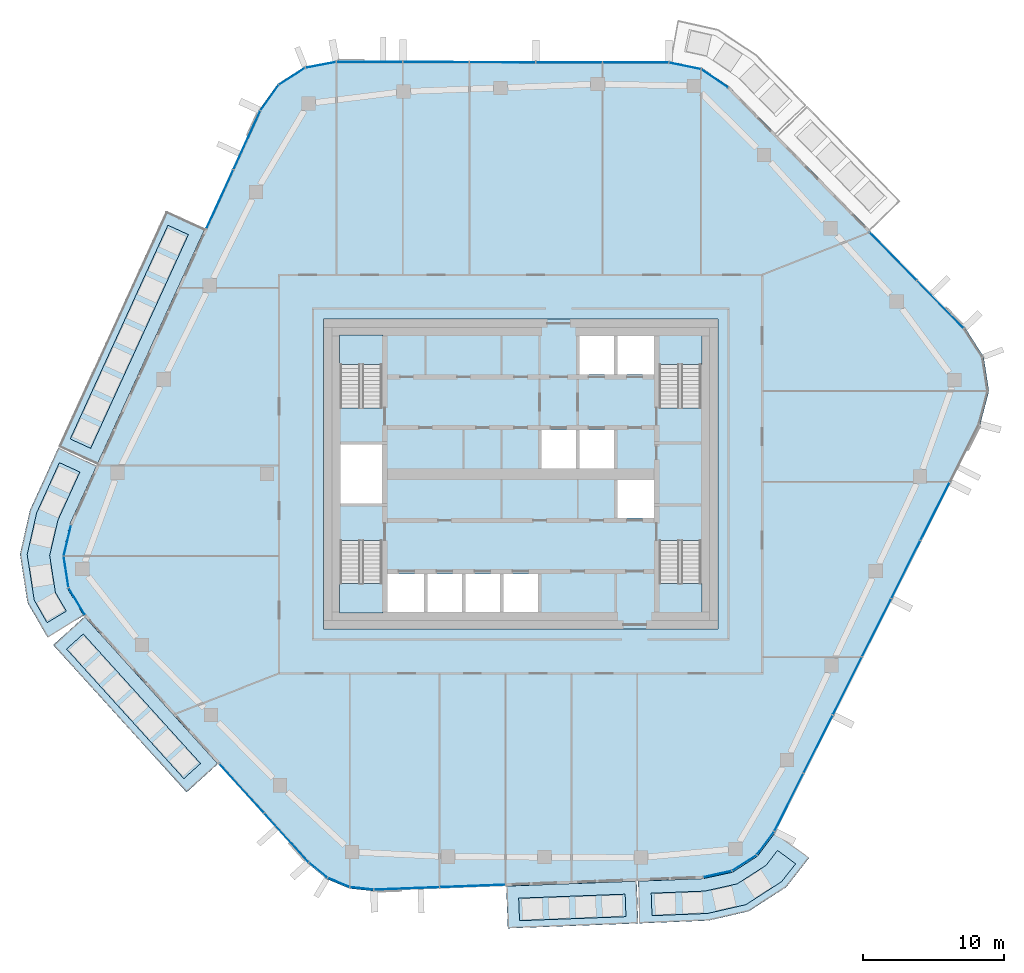
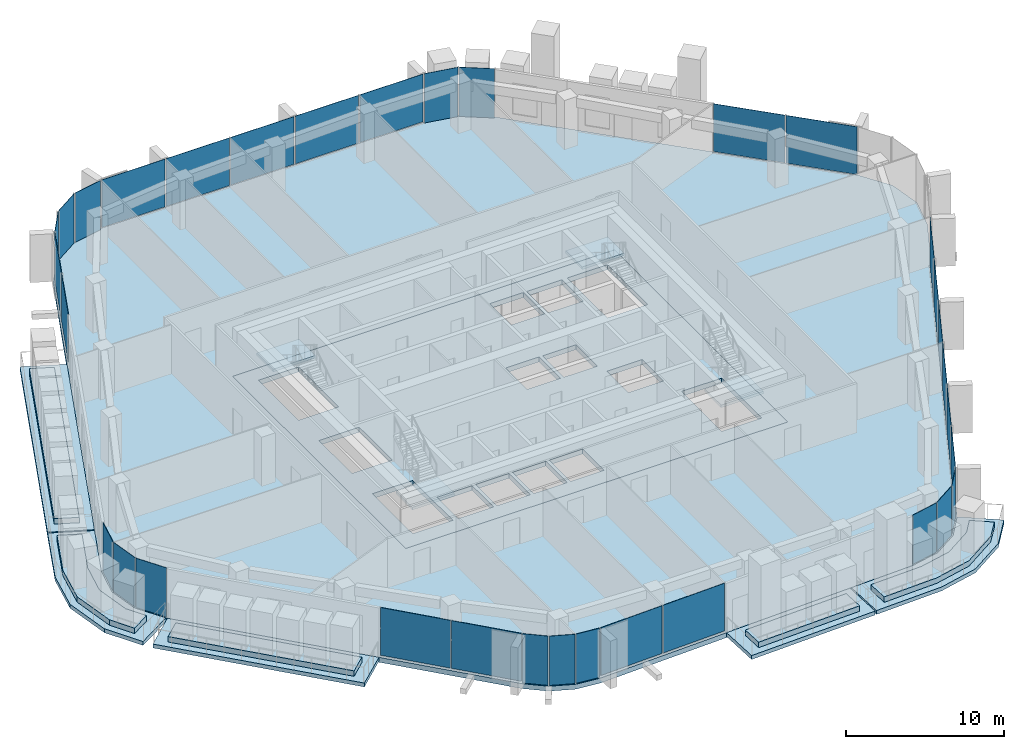
# One storey, part 11 of 23: 33 plates, 16 slabs, 15 elements without a shape of their own.
"""IFC4 building model written with IfcOpenShell, lengths in metres."""

from ifc_helpers import new_model, si_unit, direction, frame, origin, origin_2d, place, context, subcontext, project, spatial, polyline, rectangle, outline, extrude, material, layer, layer_set, type_object, element, aggregate, save


model = new_model("IFC4")

# Units and contexts
model_context = context("Model", 3, precision=1e-05, world=origin(), true_north=direction((0.0, 1.0)))
body_context = subcontext(model_context, "Body", "Model", "MODEL_VIEW")
ifc_project = project(units=[si_unit("LENGTHUNIT", "METRE"), si_unit("AREAUNIT", "SQUARE_METRE"), si_unit("VOLUMEUNIT", "CUBIC_METRE"), si_unit("PLANEANGLEUNIT", "RADIAN"), si_unit("MASSUNIT", "GRAM", prefix="KILO")], contexts=[model_context])

# Site, building, storey
site_placement = place(None, origin())
site = spatial("IfcSite", under=ifc_project, at=site_placement, CompositionType="ELEMENT")
building_placement = place(site_placement, origin())
building = spatial("IfcBuilding", under=site, at=building_placement, Name="Dongbaek Canopy Tower", CompositionType="ELEMENT")
storey_placement = place(building_placement, frame((0.0, 0.0, 315.199951171875)))
storey = spatial("IfcBuildingStorey", under=building, at=storey_placement, Name="L67", CompositionType="ELEMENT", Elevation=315.199951171875)

# Slabs
ifc_material_1 = material(Name="Concrete C40/50", Category="concrete")
ifc_layer_1 = layer(ifc_material_1, 0.300048828125)
ifc_layer_set_1 = layer_set([ifc_layer_1], Name="Balcony slab 300")
slab_type_1 = type_object("IfcSlabType", Name="Balcony slab 300", PredefinedType="FLOOR", material=ifc_layer_set_1)
slab_1_placement = place(storey_placement, frame((0.0, 0.0, -0.300048828125)))
element("IfcSlab", 1, at=slab_1_placement, inside=storey, type_object=slab_type_1, Name="Balcony L67 2", PredefinedType="FLOOR", context=body_context, shape_type="SweptSolid", body=[
    extrude(outline(polyline([(-22.43017578125, 17.41015625), (-30.07373046875, 0.687744140625), (-32.80224609375, 1.934814453125), (-25.15869140625, 18.657470703125), (-22.43017578125, 17.41015625)])), origin(), (0.0, 0.0, 1.0), 0.300048828125),
])
slab_2_placement = place(storey_placement, frame((0.0, 0.0, -0.300048828125)))
element("IfcSlab", 2, at=slab_2_placement, inside=storey, type_object=slab_type_1, Name="Balcony L67 6", PredefinedType="FLOOR", context=body_context, shape_type="SweptSolid", body=[
    extrude(outline(polyline([(-30.115234375, 0.5966796875), (-32.015625, -3.56103515625), (-32.5537109375, -5.812255859375), (-32.19970703125, -8.099609375), (-31.031982421875, -10.039794921875), (-33.6025390625, -11.5869140625), (-35.020263671875, -9.12158203125), (-35.55126953125, -5.690673828125), (-34.852294921875, -2.584228515625), (-32.84375, 1.843994140625), (-30.115234375, 0.5966796875)])), origin(), (0.0, 0.0, 1.0), 0.300048828125),
])
slab_3_placement = place(storey_placement, frame((0.0, 0.0, -0.300048828125)))
element("IfcSlab", 3, at=slab_3_placement, inside=storey, type_object=slab_type_1, Name="Balcony L67 3", PredefinedType="FLOOR", context=body_context, shape_type="SweptSolid", body=[
    extrude(outline(polyline([(-30.97265625, -10.119873046875), (-21.50048828125, -20.580078125), (-23.724365234375, -22.59375), (-33.196533203125, -12.133544921875), (-30.97265625, -10.119873046875)])), origin(), (0.0, 0.0, 1.0), 0.300048828125),
])
slab_4_placement = place(storey_placement, frame((0.0, 0.0, -0.300048828125)))
element("IfcSlab", 4, at=slab_4_placement, inside=storey, type_object=slab_type_1, Name="Balcony L67 4", PredefinedType="FLOOR", context=body_context, shape_type="SweptSolid", body=[
    extrude(outline(polyline([(-1.025146484375, -29.25341796875), (8.2333984375, -28.904052734375), (8.3466796875, -31.90185546875), (-0.912109375, -32.25146484375), (-1.025146484375, -29.25341796875)])), origin(), (0.0, 0.0, 1.0), 0.300048828125),
])
slab_5_placement = place(storey_placement, frame((0.0, 0.0, -0.300048828125)))
element("IfcSlab", 5, at=slab_5_placement, inside=storey, type_object=slab_type_1, Name="Balcony L67 7", PredefinedType="FLOOR", context=body_context, shape_type="SweptSolid", body=[
    extrude(outline(polyline([(8.33349609375, -28.900390625), (12.962646484375, -28.7255859375), (15.0380859375, -28.27099609375), (16.82470703125, -27.12158203125), (18.06884765625, -25.46142578125), (20.469482421875, -27.2607421875), (18.868896484375, -29.3173828125), (16.188720703125, -31.04150390625), (13.341796875, -31.70166015625), (8.446533203125, -31.898193359375), (8.33349609375, -28.900390625)])), origin(), (0.0, 0.0, 1.0), 0.300048828125),
])

# Curtain wall, plates
ifc_material_2 = material(Name="Aluminium 6063-T6 pale anodised", Category="aluminium")
ifc_layer_2 = layer(ifc_material_2, 0.199951171875)
ifc_layer_set_2 = layer_set([ifc_layer_2], Name="CW-1 unitised tower curtain wall")
curtain_wall_type = type_object("IfcCurtainWallType", Name="CW-1 unitised tower curtain wall", PredefinedType="NOTDEFINED", material=ifc_layer_set_2)
curtain_wall_1_placement = place(storey_placement, origin())
curtain_wall_1 = element("IfcCurtainWall", 6, at=curtain_wall_1_placement, inside=storey, type_object=curtain_wall_type, Name="CW-1 curtain wall F0.1", PredefinedType="NOTDEFINED")
ifc_material_3 = material(Name="Clear laminated glass", Category="glass")
ifc_layer_3 = layer(ifc_material_3, 0.028076171875)
ifc_layer_set_3 = layer_set([ifc_layer_3], Name="CW-1 glazed panel 28")
plate_type = type_object("IfcPlateType", Name="CW-1 glazed panel 28", PredefinedType="CURTAIN_PANEL", material=ifc_layer_set_3)
plate_1_placement = place(storey_placement, frame((29.800537109375, 12.048095703125, 0.1201171875), z_axis=(0.0, 0.0, 1.0), x_axis=(-0.699349233203, 0.714780141035, 0.0)))
plate_1 = element("IfcPlate", 7, at=plate_1_placement, type_object=plate_type, Name="CW-1 panel F0.1.1.1", PredefinedType="CURTAIN_PANEL", context=body_context, shape_type="SweptSolid", body=[
    extrude(rectangle(XDim=4.69287109375, YDim=0.028076171875, at=origin_2d()), origin(), (0.0, 0.0, 1.0), 3.699951171875),
])
plate_2_placement = place(storey_placement, frame((26.456298828125, 15.46630859375, 0.1201171875), z_axis=(0.0, 0.0, 1.0), x_axis=(-0.699349233203, 0.714780141035, 0.0)))
plate_2 = element("IfcPlate", 8, at=plate_2_placement, type_object=plate_type, Name="CW-1 panel F0.1.2.1", PredefinedType="CURTAIN_PANEL", context=body_context, shape_type="SweptSolid", body=[
    extrude(rectangle(XDim=4.703369140625, YDim=0.028076171875, at=origin_2d()), origin(), (0.0, 0.0, 1.0), 3.699951171875),
])
aggregate(curtain_wall_1, [plate_1, plate_2])

curtain_wall_2_placement = place(storey_placement, origin())
curtain_wall_2 = element("IfcCurtainWall", 9, at=curtain_wall_2_placement, inside=storey, type_object=curtain_wall_type, Name="CW-1 curtain wall K1.1", PredefinedType="NOTDEFINED")
plate_3_placement = place(storey_placement, frame((13.779541015625, 28.09326171875, 0.0), z_axis=(0.0, 0.0, 1.0), x_axis=(-0.826588605732, 0.562806606992, 0.0)))
plate_3 = element("IfcPlate", 10, at=plate_3_placement, type_object=plate_type, Name="CW-1 panel K1.1.1.1", PredefinedType="CURTAIN_PANEL", context=body_context, shape_type="SweptSolid", body=[
    extrude(rectangle(XDim=2.252685546875, YDim=0.028076171875, at=origin_2d()), origin(), (0.0, 0.0, 1.0), 3.820068359375),
])
plate_4_placement = place(storey_placement, frame((11.6689453125, 28.983642578125, 0.0), z_axis=(0.0, 0.0, 1.0), x_axis=(-0.979924768764, 0.199367619142, 0.0)))
plate_4 = element("IfcPlate", 11, at=plate_4_placement, type_object=plate_type, Name="CW-1 panel K1.1.2.1", PredefinedType="CURTAIN_PANEL", context=body_context, shape_type="SweptSolid", body=[
    extrude(rectangle(XDim=2.252685546875, YDim=0.028076171875, at=origin_2d()), origin(), (0.0, 0.0, 1.0), 3.820068359375),
])
aggregate(curtain_wall_2, [plate_3, plate_4])

curtain_wall_3_placement = place(storey_placement, origin())
curtain_wall_3 = element("IfcCurtainWall", 12, at=curtain_wall_3_placement, inside=storey, type_object=curtain_wall_type, Name="CW-1 curtain wall F1.1", PredefinedType="NOTDEFINED")
plate_5_placement = place(storey_placement, frame((8.165771484375, 29.2216796875, 0.1201171875), z_axis=(0.0, 0.0, 1.0), x_axis=(-0.999997623445, 0.002180161438, 0.0)))
plate_5 = element("IfcPlate", 13, at=plate_5_placement, type_object=plate_type, Name="CW-1 panel F1.1.1.1", PredefinedType="CURTAIN_PANEL", context=body_context, shape_type="SweptSolid", body=[
    extrude(rectangle(XDim=4.63232421875, YDim=0.028076171875, at=origin_2d()), origin(), (0.0, 0.0, 1.0), 3.699951171875),
])
plate_6_placement = place(storey_placement, frame((3.444580078125, 29.23193359375, 0.1201171875), z_axis=(0.0, 0.0, 1.0), x_axis=(-0.999997623445, 0.002180161438, 0.0)))
plate_6 = element("IfcPlate", 14, at=plate_6_placement, type_object=plate_type, Name="CW-1 panel F1.1.2.1", PredefinedType="CURTAIN_PANEL", context=body_context, shape_type="SweptSolid", body=[
    extrude(rectangle(XDim=4.64208984375, YDim=0.028076171875, at=origin_2d()), origin(), (0.0, 0.0, 1.0), 3.699951171875),
])
plate_7_placement = place(storey_placement, frame((-1.281494140625, 29.242431640625, 0.1201171875), z_axis=(0.0, 0.0, 1.0), x_axis=(-0.999997623445, 0.002180161438, 0.0)))
plate_7 = element("IfcPlate", 15, at=plate_7_placement, type_object=plate_type, Name="CW-1 panel F1.1.3.1", PredefinedType="CURTAIN_PANEL", context=body_context, shape_type="SweptSolid", body=[
    extrude(rectangle(XDim=4.64208984375, YDim=0.028076171875, at=origin_2d()), origin(), (0.0, 0.0, 1.0), 3.699951171875),
])
plate_8_placement = place(storey_placement, frame((-6.0078125, 29.252685546875, 0.1201171875), z_axis=(0.0, 0.0, 1.0), x_axis=(-0.999997623445, 0.002180161438, 0.0)))
plate_8 = element("IfcPlate", 16, at=plate_8_placement, type_object=plate_type, Name="CW-1 panel F1.1.4.1", PredefinedType="CURTAIN_PANEL", context=body_context, shape_type="SweptSolid", body=[
    extrude(rectangle(XDim=4.64208984375, YDim=0.028076171875, at=origin_2d()), origin(), (0.0, 0.0, 1.0), 3.699951171875),
])
plate_9_placement = place(storey_placement, frame((-10.72900390625, 29.262939453125, 0.1201171875), z_axis=(0.0, 0.0, 1.0), x_axis=(-0.999997623445, 0.002180161438, 0.0)))
plate_9 = element("IfcPlate", 17, at=plate_9_placement, type_object=plate_type, Name="CW-1 panel F1.1.5.1", PredefinedType="CURTAIN_PANEL", context=body_context, shape_type="SweptSolid", body=[
    extrude(rectangle(XDim=4.632568359375, YDim=0.028076171875, at=origin_2d()), origin(), (0.0, 0.0, 1.0), 3.699951171875),
])
aggregate(curtain_wall_3, [plate_5, plate_6, plate_7, plate_8, plate_9])

curtain_wall_4_placement = place(storey_placement, origin())
curtain_wall_4 = element("IfcCurtainWall", 18, at=curtain_wall_4_placement, inside=storey, type_object=curtain_wall_type, Name="CW-1 curtain wall K2.1", PredefinedType="NOTDEFINED")
plate_10_placement = place(storey_placement, frame((-14.1904296875, 29.0576171875, 0.0), z_axis=(0.0, 0.0, 1.0), x_axis=(-0.982281140871, -0.187413340747, 0.0)))
plate_10 = element("IfcPlate", 19, at=plate_10_placement, type_object=plate_type, Name="CW-1 panel K2.1.1.1", PredefinedType="CURTAIN_PANEL", context=body_context, shape_type="SweptSolid", body=[
    extrude(rectangle(XDim=2.161865234375, YDim=0.028076171875, at=origin_2d()), origin(), (0.0, 0.0, 1.0), 3.820068359375),
])
plate_11_placement = place(storey_placement, frame((-16.234619140625, 28.243896484375, 0.0), z_axis=(0.0, 0.0, 1.0), x_axis=(-0.841930753332, -0.539585587829, 0.0)))
plate_11 = element("IfcPlate", 20, at=plate_11_placement, type_object=plate_type, Name="CW-1 panel K2.1.2.1", PredefinedType="CURTAIN_PANEL", context=body_context, shape_type="SweptSolid", body=[
    extrude(rectangle(XDim=2.152099609375, YDim=0.028076171875, at=origin_2d()), origin(), (0.0, 0.0, 1.0), 3.820068359375),
])
plate_12_placement = place(storey_placement, frame((-17.827880859375, 26.726318359375, 0.0), z_axis=(0.0, 0.0, 1.0), x_axis=(-0.580575111889, -0.814206693325, 0.0)))
plate_12 = element("IfcPlate", 21, at=plate_12_placement, type_object=plate_type, Name="CW-1 panel K2.1.3.1", PredefinedType="CURTAIN_PANEL", context=body_context, shape_type="SweptSolid", body=[
    extrude(rectangle(XDim=2.161865234375, YDim=0.028076171875, at=origin_2d()), origin(), (0.0, 0.0, 1.0), 3.820068359375),
])
aggregate(curtain_wall_4, [plate_10, plate_11, plate_12])

curtain_wall_5_placement = place(storey_placement, origin())
curtain_wall_5 = element("IfcCurtainWall", 22, at=curtain_wall_5_placement, inside=storey, type_object=curtain_wall_type, Name="CW-1 curtain wall F2.1", PredefinedType="NOTDEFINED")
plate_13_placement = place(storey_placement, frame((-19.4384765625, 23.71484375, 0.1201171875), z_axis=(0.0, 0.0, 1.0), x_axis=(-0.415712926909, -0.909495883664, 0.0)))
plate_13 = element("IfcPlate", 23, at=plate_13_placement, type_object=plate_type, Name="CW-1 panel F2.1.1.1", PredefinedType="CURTAIN_PANEL", context=body_context, shape_type="SweptSolid", body=[
    extrude(rectangle(XDim=4.528076171875, YDim=0.028076171875, at=origin_2d()), origin(), (0.0, 0.0, 1.0), 3.699951171875),
])
plate_14_placement = place(storey_placement, frame((-21.357666015625, 19.515869140625, 0.1201171875), z_axis=(0.0, 0.0, 1.0), x_axis=(-0.415712926909, -0.909495883664, 0.0)))
plate_14 = element("IfcPlate", 24, at=plate_14_placement, type_object=plate_type, Name="CW-1 panel F2.1.2.1", PredefinedType="CURTAIN_PANEL", context=body_context, shape_type="SweptSolid", body=[
    extrude(rectangle(XDim=4.53759765625, YDim=0.028076171875, at=origin_2d()), origin(), (0.0, 0.0, 1.0), 3.699951171875),
])
aggregate(curtain_wall_5, [plate_13, plate_14])

curtain_wall_6_placement = place(storey_placement, origin())
curtain_wall_6 = element("IfcCurtainWall", 25, at=curtain_wall_6_placement, inside=storey, type_object=curtain_wall_type, Name="CW-1 curtain wall K3.1", PredefinedType="NOTDEFINED")
plate_15_placement = place(storey_placement, frame((-32.186279296875, -4.705078125, 0.0), z_axis=(0.0, 0.0, 1.0), x_axis=(-0.232482028187, -0.972600692253, 0.0)))
plate_15 = element("IfcPlate", 26, at=plate_15_placement, type_object=plate_type, Name="CW-1 panel K3.1.1.1", PredefinedType="CURTAIN_PANEL", context=body_context, shape_type="SweptSolid", body=[
    extrude(rectangle(XDim=2.201171875, YDim=0.028076171875, at=origin_2d()), origin(), (0.0, 0.0, 1.0), 3.820068359375),
])
plate_16_placement = place(storey_placement, frame((-32.27783203125, -6.940673828125, 0.0), z_axis=(0.0, 0.0, 1.0), x_axis=(0.15296362008, -0.988231820441, 0.0)))
plate_16 = element("IfcPlate", 27, at=plate_16_placement, type_object=plate_type, Name="CW-1 panel K3.1.2.1", PredefinedType="CURTAIN_PANEL", context=body_context, shape_type="SweptSolid", body=[
    extrude(rectangle(XDim=2.191162109375, YDim=0.028076171875, at=origin_2d()), origin(), (0.0, 0.0, 1.0), 3.820068359375),
])
plate_17_placement = place(storey_placement, frame((-31.5146484375, -9.0439453125, 0.0), z_axis=(0.0, 0.0, 1.0), x_axis=(0.51564634211, -0.856801523031, 0.0)))
plate_17 = element("IfcPlate", 28, at=plate_17_placement, type_object=plate_type, Name="CW-1 panel K3.1.3.1", PredefinedType="CURTAIN_PANEL", context=body_context, shape_type="SweptSolid", body=[
    extrude(rectangle(XDim=2.201171875, YDim=0.028076171875, at=origin_2d()), origin(), (0.0, 0.0, 1.0), 3.820068359375),
])
aggregate(curtain_wall_6, [plate_15, plate_16, plate_17])

curtain_wall_7_placement = place(storey_placement, origin())
curtain_wall_7 = element("IfcCurtainWall", 29, at=curtain_wall_7_placement, inside=storey, type_object=curtain_wall_type, Name="CW-1 curtain wall F3.1", PredefinedType="NOTDEFINED")
plate_18_placement = place(storey_placement, frame((-19.802978515625, -22.305908203125, 0.1201171875), z_axis=(0.0, 0.0, 1.0), x_axis=(0.671224526112, -0.741254096478, 0.0)))
plate_18 = element("IfcPlate", 30, at=plate_18_placement, type_object=plate_type, Name="CW-1 panel F3.1.1.1", PredefinedType="CURTAIN_PANEL", context=body_context, shape_type="SweptSolid", body=[
    extrude(rectangle(XDim=4.6533203125, YDim=0.028076171875, at=origin_2d()), origin(), (0.0, 0.0, 1.0), 3.699951171875),
])
plate_19_placement = place(storey_placement, frame((-16.625732421875, -25.814697265625, 0.1201171875), z_axis=(0.0, 0.0, 1.0), x_axis=(0.671224526112, -0.741254096478, 0.0)))
plate_19 = element("IfcPlate", 31, at=plate_19_placement, type_object=plate_type, Name="CW-1 panel F3.1.2.1", PredefinedType="CURTAIN_PANEL", context=body_context, shape_type="SweptSolid", body=[
    extrude(rectangle(XDim=4.64599609375, YDim=0.028076171875, at=origin_2d()), origin(), (0.0, 0.0, 1.0), 3.699951171875),
])
aggregate(curtain_wall_7, [plate_18, plate_19])

curtain_wall_8_placement = place(storey_placement, origin())
curtain_wall_8 = element("IfcCurtainWall", 32, at=curtain_wall_8_placement, inside=storey, type_object=curtain_wall_type, Name="CW-1 curtain wall K4.1", PredefinedType="NOTDEFINED")
plate_20_placement = place(storey_placement, frame((-14.375732421875, -28.11376953125, 0.0), z_axis=(0.0, 0.0, 1.0), x_axis=(0.771568100588, -0.636146733195, 0.0)))
plate_20 = element("IfcPlate", 33, at=plate_20_placement, type_object=plate_type, Name="CW-1 panel K4.1.1.1", PredefinedType="CURTAIN_PANEL", context=body_context, shape_type="SweptSolid", body=[
    extrude(rectangle(XDim=1.63330078125, YDim=0.028076171875, at=origin_2d()), origin(), (0.0, 0.0, 1.0), 3.820068359375),
])
plate_21_placement = place(storey_placement, frame((-12.92529296875, -28.991943359375, 0.0), z_axis=(0.0, 0.0, 1.0), x_axis=(0.921602198627, -0.388135784855, 0.0)))
plate_21 = element("IfcPlate", 34, at=plate_21_placement, type_object=plate_type, Name="CW-1 panel K4.1.2.1", PredefinedType="CURTAIN_PANEL", context=body_context, shape_type="SweptSolid", body=[
    extrude(rectangle(XDim=1.6259765625, YDim=0.028076171875, at=origin_2d()), origin(), (0.0, 0.0, 1.0), 3.820068359375),
])
plate_22_placement = place(storey_placement, frame((-11.283935546875, -29.416015625, 0.0), z_axis=(0.0, 0.0, 1.0), x_axis=(0.994203592294, -0.107513799439, 0.0)))
plate_22 = element("IfcPlate", 35, at=plate_22_placement, type_object=plate_type, Name="CW-1 panel K4.1.3.1", PredefinedType="CURTAIN_PANEL", context=body_context, shape_type="SweptSolid", body=[
    extrude(rectangle(XDim=1.63330078125, YDim=0.028076171875, at=origin_2d()), origin(), (0.0, 0.0, 1.0), 3.820068359375),
])
aggregate(curtain_wall_8, [plate_20, plate_21, plate_22])

curtain_wall_9_placement = place(storey_placement, origin())
curtain_wall_9 = element("IfcCurtainWall", 36, at=curtain_wall_9_placement, inside=storey, type_object=curtain_wall_type, Name="CW-1 curtain wall F4.1", PredefinedType="NOTDEFINED")
plate_23_placement = place(storey_placement, frame((-8.09423828125, -29.420166015625, 0.1201171875), z_axis=(0.0, 0.0, 1.0), x_axis=(0.999288649502, 0.037712000431, 0.0)))
plate_23 = element("IfcPlate", 37, at=plate_23_placement, type_object=plate_type, Name="CW-1 panel F4.1.1.1", PredefinedType="CURTAIN_PANEL", context=body_context, shape_type="SweptSolid", body=[
    extrude(rectangle(XDim=4.59130859375, YDim=0.028076171875, at=origin_2d()), origin(), (0.0, 0.0, 1.0), 3.699951171875),
])
plate_24_placement = place(storey_placement, frame((-3.41845703125, -29.24365234375, 0.1201171875), z_axis=(0.0, 0.0, 1.0), x_axis=(0.999288649502, 0.037712000431, 0.0)))
plate_24 = element("IfcPlate", 38, at=plate_24_placement, type_object=plate_type, Name="CW-1 panel F4.1.2.1", PredefinedType="CURTAIN_PANEL", context=body_context, shape_type="SweptSolid", body=[
    extrude(rectangle(XDim=4.5986328125, YDim=0.028076171875, at=origin_2d()), origin(), (0.0, 0.0, 1.0), 3.699951171875),
])
aggregate(curtain_wall_9, [plate_23, plate_24])

curtain_wall_10_placement = place(storey_placement, origin())
curtain_wall_10 = element("IfcCurtainWall", 39, at=curtain_wall_10_placement, inside=storey, type_object=curtain_wall_type, Name="CW-1 curtain wall K5.1", PredefinedType="NOTDEFINED")
plate_25_placement = place(storey_placement, frame((13.974609375, -28.401611328125, 0.0), z_axis=(0.0, 0.0, 1.0), x_axis=(0.976826650788, 0.21403199366, 0.0)))
plate_25 = element("IfcPlate", 40, at=plate_25_placement, type_object=plate_type, Name="CW-1 panel K5.1.1.1", PredefinedType="CURTAIN_PANEL", context=body_context, shape_type="SweptSolid", body=[
    extrude(rectangle(XDim=2.013671875, YDim=0.028076171875, at=origin_2d()), origin(), (0.0, 0.0, 1.0), 3.820068359375),
])
plate_26_placement = place(storey_placement, frame((15.877197265625, -27.612060546875, 0.0), z_axis=(0.0, 0.0, 1.0), x_axis=(0.841003829128, 0.541029166858, 0.0)))
plate_26 = element("IfcPlate", 41, at=plate_26_placement, type_object=plate_type, Name="CW-1 panel K5.1.2.1", PredefinedType="CURTAIN_PANEL", context=body_context, shape_type="SweptSolid", body=[
    extrude(rectangle(XDim=2.004638671875, YDim=0.028076171875, at=origin_2d()), origin(), (0.0, 0.0, 1.0), 3.820068359375),
])
plate_27_placement = place(storey_placement, frame((17.384521484375, -26.207763671875, 0.0), z_axis=(0.0, 0.0, 1.0), x_axis=(0.599740160664, 0.800194813584, 0.0)))
plate_27 = element("IfcPlate", 42, at=plate_27_placement, type_object=plate_type, Name="CW-1 panel K5.1.3.1", PredefinedType="CURTAIN_PANEL", context=body_context, shape_type="SweptSolid", body=[
    extrude(rectangle(XDim=2.013671875, YDim=0.028076171875, at=origin_2d()), origin(), (0.0, 0.0, 1.0), 3.820068359375),
])
aggregate(curtain_wall_10, [plate_25, plate_26, plate_27])

curtain_wall_11_placement = place(storey_placement, origin())
curtain_wall_11 = element("IfcCurtainWall", 43, at=curtain_wall_11_placement, inside=storey, type_object=curtain_wall_type, Name="CW-1 curtain wall F5.1", PredefinedType="NOTDEFINED")
plate_28_placement = place(storey_placement, frame((19.048828125, -23.3056640625, 0.1201171875), z_axis=(0.0, 0.0, 1.0), x_axis=(0.448598466859, 0.893733414129, 0.0)))
plate_28 = element("IfcPlate", 44, at=plate_28_placement, type_object=plate_type, Name="CW-1 panel F5.1.1.1", PredefinedType="CURTAIN_PANEL", context=body_context, shape_type="SweptSolid", body=[
    extrude(rectangle(XDim=4.532470703125, YDim=0.028076171875, at=origin_2d()), origin(), (0.0, 0.0, 1.0), 3.699951171875),
])
plate_29_placement = place(storey_placement, frame((21.121826171875, -19.17578125, 0.1201171875), z_axis=(0.0, 0.0, 1.0), x_axis=(0.448598466859, 0.893733414129, 0.0)))
plate_29 = element("IfcPlate", 45, at=plate_29_placement, type_object=plate_type, Name="CW-1 panel F5.1.2.1", PredefinedType="CURTAIN_PANEL", context=body_context, shape_type="SweptSolid", body=[
    extrude(rectangle(XDim=4.54150390625, YDim=0.028076171875, at=origin_2d()), origin(), (0.0, 0.0, 1.0), 3.699951171875),
])
plate_30_placement = place(storey_placement, frame((23.19677734375, -15.0419921875, 0.1201171875), z_axis=(0.0, 0.0, 1.0), x_axis=(0.448598466859, 0.893733414129, 0.0)))
plate_30 = element("IfcPlate", 46, at=plate_30_placement, type_object=plate_type, Name="CW-1 panel F5.1.3.1", PredefinedType="CURTAIN_PANEL", context=body_context, shape_type="SweptSolid", body=[
    extrude(rectangle(XDim=4.54150390625, YDim=0.028076171875, at=origin_2d()), origin(), (0.0, 0.0, 1.0), 3.699951171875),
])
plate_31_placement = place(storey_placement, frame((25.271728515625, -10.907958984375, 0.1201171875), z_axis=(0.0, 0.0, 1.0), x_axis=(0.448598466859, 0.893733414129, 0.0)))
plate_31 = element("IfcPlate", 47, at=plate_31_placement, type_object=plate_type, Name="CW-1 panel F5.1.4.1", PredefinedType="CURTAIN_PANEL", context=body_context, shape_type="SweptSolid", body=[
    extrude(rectangle(XDim=4.54150390625, YDim=0.028076171875, at=origin_2d()), origin(), (0.0, 0.0, 1.0), 3.699951171875),
])
plate_32_placement = place(storey_placement, frame((27.3466796875, -6.774169921875, 0.1201171875), z_axis=(0.0, 0.0, 1.0), x_axis=(0.448598466859, 0.893733414129, 0.0)))
plate_32 = element("IfcPlate", 48, at=plate_32_placement, type_object=plate_type, Name="CW-1 panel F5.1.5.1", PredefinedType="CURTAIN_PANEL", context=body_context, shape_type="SweptSolid", body=[
    extrude(rectangle(XDim=4.54150390625, YDim=0.028076171875, at=origin_2d()), origin(), (0.0, 0.0, 1.0), 3.699951171875),
])
plate_33_placement = place(storey_placement, frame((29.421630859375, -2.640380859375, 0.1201171875), z_axis=(0.0, 0.0, 1.0), x_axis=(0.448598466859, 0.893733414129, 0.0)))
plate_33 = element("IfcPlate", 49, at=plate_33_placement, type_object=plate_type, Name="CW-1 panel F5.1.6.1", PredefinedType="CURTAIN_PANEL", context=body_context, shape_type="SweptSolid", body=[
    extrude(rectangle(XDim=4.54150390625, YDim=0.028076171875, at=origin_2d()), origin(), (0.0, 0.0, 1.0), 3.699951171875),
])
aggregate(curtain_wall_11, [plate_28, plate_29, plate_30, plate_31, plate_32, plate_33])

# Slab
ifc_material_4 = material(Name="Concrete C40/50", Category="concrete")
ifc_layer_4 = layer(ifc_material_4, 0.3798828125)
ifc_layer_set_4 = layer_set([ifc_layer_4], Name="Core floor slab 380 Concrete C40/50")
slab_type_2 = type_object("IfcSlabType", Name="Core floor slab 380 Concrete C40/50", PredefinedType="FLOOR", material=ifc_layer_set_4)
slab_6_placement = place(storey_placement, frame((0.0, 0.0, -0.3798828125)))
element("IfcSlab", 50, at=slab_6_placement, inside=storey, type_object=slab_type_2, Name="Core floor slab L67", PredefinedType="FLOOR", context=body_context, shape_type="SweptSolid", body=[
    extrude(outline(polyline([(14.0, -11.0), (14.0, 11.0), (-14.0, 11.0), (-14.0, -11.0), (14.0, -11.0)]), holes=[polyline([(-12.800048828125, 2.10009765625), (-9.85009765625, 2.10009765625), (-9.85009765625, -2.10009765625), (-12.800048828125, -2.10009765625), (-12.800048828125, 2.10009765625)]), polyline([(6.625, 9.800048828125), (6.625, 7.074951171875), (4.175048828125, 7.074951171875), (4.175048828125, 9.800048828125), (6.625, 9.800048828125)]), polyline([(9.449951171875, 7.074951171875), (6.875, 7.074951171875), (6.875, 9.800048828125), (9.449951171875, 9.800048828125), (9.449951171875, 7.074951171875)]), polyline([(1.47509765625, 0.39990234375), (1.47509765625, 3.125), (3.925048828125, 3.125), (3.925048828125, 0.39990234375), (1.47509765625, 0.39990234375)]), polyline([(4.175048828125, 0.39990234375), (4.175048828125, 3.125), (6.625, 3.125), (6.625, 0.39990234375), (4.175048828125, 0.39990234375)]), polyline([(9.449951171875, -3.125), (6.875, -3.125), (6.875, -0.39990234375), (9.449951171875, -0.39990234375), (9.449951171875, -3.125)]), polyline([(-9.449951171875, -7.074951171875), (-6.875, -7.074951171875), (-6.875, -9.800048828125), (-9.449951171875, -9.800048828125), (-9.449951171875, -7.074951171875)]), polyline([(-6.625, -9.800048828125), (-6.625, -7.074951171875), (-4.175048828125, -7.074951171875), (-4.175048828125, -9.800048828125), (-6.625, -9.800048828125)]), polyline([(-3.925048828125, -9.800048828125), (-3.925048828125, -7.074951171875), (-1.47509765625, -7.074951171875), (-1.47509765625, -9.800048828125), (-3.925048828125, -9.800048828125)]), polyline([(-1.22509765625, -9.800048828125), (-1.22509765625, -7.074951171875), (1.22509765625, -7.074951171875), (1.22509765625, -9.800048828125), (-1.22509765625, -9.800048828125)]), polyline([(12.800048828125, 4.70068359375), (12.800048828125, 9.800048828125), (9.85009765625, 9.800048828125), (9.85009765625, 4.70068359375), (12.800048828125, 4.70068359375)]), polyline([(-9.85009765625, 4.70068359375), (-9.85009765625, 9.800048828125), (-12.800048828125, 9.800048828125), (-12.800048828125, 4.70068359375), (-9.85009765625, 4.70068359375)]), polyline([(9.85009765625, -4.70068359375), (9.85009765625, -9.800048828125), (12.800048828125, -9.800048828125), (12.800048828125, -4.70068359375), (9.85009765625, -4.70068359375)]), polyline([(-12.800048828125, -4.70068359375), (-12.800048828125, -9.800048828125), (-9.85009765625, -9.800048828125), (-9.85009765625, -4.70068359375), (-12.800048828125, -4.70068359375)])]), origin(), (0.0, 0.0, 1.0), 0.3798828125),
])

# Stair, slab
ifc_material_5 = material(Name="Concrete C40/50", Category="concrete")
stair_type = type_object("IfcStairType", Name="Core exit stair", PredefinedType="HALF_TURN_STAIR", material=ifc_material_5)
stair_1_placement = place(storey_placement, origin())
stair_1 = element("IfcStair", 51, at=stair_1_placement, inside=storey, type_object=stair_type, Name="L67 exit stair A", PredefinedType="HALF_TURN_STAIR")
ifc_material_6 = material(Name="Concrete C40/50", Category="concrete")
ifc_layer_5 = layer(ifc_material_6, 0.199951171875)
ifc_layer_set_5 = layer_set([ifc_layer_5], Name="Core stair landing 200")
slab_type_3 = type_object("IfcSlabType", Name="Core stair landing 200", PredefinedType="LANDING", material=ifc_layer_set_5)
slab_7_placement = place(storey_placement, frame((0.0, 0.0, 1.900146484375)))
slab_7 = element("IfcSlab", 52, at=slab_7_placement, type_object=slab_type_3, Name="ST-A landing 1", PredefinedType="LANDING", context=body_context, shape_type="SweptSolid", body=[
    extrude(outline(polyline([(12.875, 7.780029296875), (12.875, 9.875), (9.77490234375, 9.875), (9.77490234375, 7.780029296875), (12.875, 7.780029296875)])), origin(), (0.0, 0.0, 1.0), 0.199951171875),
])
aggregate(stair_1, [slab_7])

stair_2_placement = place(storey_placement, origin())
stair_2 = element("IfcStair", 53, at=stair_2_placement, inside=storey, type_object=stair_type, Name="L67 exit stair C", PredefinedType="HALF_TURN_STAIR")
slab_8_placement = place(storey_placement, frame((0.0, 0.0, 1.900146484375)))
slab_8 = element("IfcSlab", 54, at=slab_8_placement, type_object=slab_type_3, Name="ST-C landing 1", PredefinedType="LANDING", context=body_context, shape_type="SweptSolid", body=[
    extrude(outline(polyline([(-9.77490234375, 7.780029296875), (-9.77490234375, 9.875), (-12.875, 9.875), (-12.875, 7.780029296875), (-9.77490234375, 7.780029296875)])), origin(), (0.0, 0.0, 1.0), 0.199951171875),
])
aggregate(stair_2, [slab_8])

stair_3_placement = place(storey_placement, origin())
stair_3 = element("IfcStair", 55, at=stair_3_placement, inside=storey, type_object=stair_type, Name="L67 exit stair B", PredefinedType="HALF_TURN_STAIR")
slab_9_placement = place(storey_placement, frame((0.0, 0.0, 1.900146484375)))
slab_9 = element("IfcSlab", 56, at=slab_9_placement, type_object=slab_type_3, Name="ST-B landing 1", PredefinedType="LANDING", context=body_context, shape_type="SweptSolid", body=[
    extrude(outline(polyline([(9.77490234375, -7.780029296875), (9.77490234375, -9.875), (12.875, -9.875), (12.875, -7.780029296875), (9.77490234375, -7.780029296875)])), origin(), (0.0, 0.0, 1.0), 0.199951171875),
])
aggregate(stair_3, [slab_9])

stair_4_placement = place(storey_placement, origin())
stair_4 = element("IfcStair", 57, at=stair_4_placement, inside=storey, type_object=stair_type, Name="L67 exit stair D", PredefinedType="HALF_TURN_STAIR")
slab_10_placement = place(storey_placement, frame((0.0, 0.0, 1.900146484375)))
slab_10 = element("IfcSlab", 58, at=slab_10_placement, type_object=slab_type_3, Name="ST-D landing 1", PredefinedType="LANDING", context=body_context, shape_type="SweptSolid", body=[
    extrude(outline(polyline([(-12.875, -7.780029296875), (-12.875, -9.875), (-9.77490234375, -9.875), (-9.77490234375, -7.780029296875), (-12.875, -7.780029296875)])), origin(), (0.0, 0.0, 1.0), 0.199951171875),
])
aggregate(stair_4, [slab_10])

# Slabs
ifc_material_7 = material(Name="Concrete C40", Category="concrete")
ifc_layer_6 = layer(ifc_material_7, 0.3798828125)
ifc_layer_set_6 = layer_set([ifc_layer_6], Name="RC FLAT PLATE 380 Concrete C40")
slab_type_4 = type_object("IfcSlabType", Name="RC FLAT PLATE 380 Concrete C40", PredefinedType="FLOOR", material=ifc_layer_set_6)
slab_11_placement = place(storey_placement, frame((0.0, 0.0, -0.3798828125)))
element("IfcSlab", 59, at=slab_11_placement, inside=storey, type_object=slab_type_4, Name="SLAB:L67", PredefinedType="FLOOR", context=body_context, shape_type="SweptSolid", body=[
    extrude(outline(polyline([(18.098876953125, -25.42138671875), (16.82470703125, -27.12158203125), (15.0380859375, -28.27099609375), (12.962646484375, -28.7255859375), (-10.43359375, -29.608642578125), (-12.162841796875, -29.421630859375), (-13.765625, -28.74658203125), (-15.107421875, -27.64013671875), (-31.006103515625, -10.082763671875), (-32.19970703125, -8.099609375), (-32.5537109375, -5.812255859375), (-32.015625, -3.56103515625), (-18.56689453125, 25.8623046875), (-17.24609375, 27.71435546875), (-15.3310546875, 28.94189453125), (-13.0966796875, 29.3681640625), (10.5341796875, 29.316650390625), (12.853515625, 28.8447265625), (14.809814453125, 27.5126953125), (31.5498046875, 10.4033203125), (32.873779296875, 8.327880859375), (33.2529296875, 5.8955078125), (32.62353515625, 3.515625), (18.098876953125, -25.42138671875)]), holes=[polyline([(14.0, 11.0), (-14.0, 11.0), (-14.0, -11.0), (14.0, -11.0), (14.0, 11.0)])]), origin(), (0.0, 0.0, 1.0), 0.3798828125),
])
ifc_material_8 = material(Name="Reinforced concrete C40/50 planter box with soil", Category="concrete")
ifc_layer_7 = layer(ifc_material_8, 0.419921875)
ifc_layer_set_7 = layer_set([ifc_layer_7], Name="Terrace planter box 1600 x 420")
slab_type_5 = type_object("IfcSlabType", Name="Terrace planter box 1600 x 420", PredefinedType="USERDEFINED", material=ifc_layer_set_7)
slab_12_placement = place(storey_placement, origin())
element("IfcSlab", 60, at=slab_12_placement, inside=storey, type_object=slab_type_5, Name="Balcony planter L67 2", ObjectType="PLANTER", PredefinedType="USERDEFINED", context=body_context, shape_type="SweptSolid", body=[
    extrude(outline(polyline([(-23.593017578125, 17.007080078125), (-30.52978515625, 1.830810546875), (-31.98486328125, 2.495849609375), (-25.048095703125, 17.67236328125), (-23.593017578125, 17.007080078125)])), origin(), (0.0, 0.0, 1.0), 0.420166015625),
])
slab_13_placement = place(storey_placement, origin())
element("IfcSlab", 61, at=slab_13_placement, inside=storey, type_object=slab_type_5, Name="Balcony planter L67 6", ObjectType="PLANTER", PredefinedType="USERDEFINED", context=body_context, shape_type="SweptSolid", body=[
    extrude(outline(polyline([(-31.298828125, 0.148193359375), (-32.857177734375, -3.271240234375), (-33.443115234375, -5.776123046875), (-33.03662109375, -8.40283203125), (-32.258544921875, -9.727783203125), (-33.629638671875, -10.552734375), (-34.540771484375, -8.947998046875), (-35.041748046875, -5.71142578125), (-34.369873046875, -2.750244140625), (-32.75390625, 0.8134765625), (-31.298828125, 0.148193359375)])), origin(), (0.0, 0.0, 1.0), 0.420166015625),
])
slab_14_placement = place(storey_placement, origin())
element("IfcSlab", 62, at=slab_14_placement, inside=storey, type_object=slab_type_5, Name="Balcony planter L67 3", ObjectType="PLANTER", PredefinedType="USERDEFINED", context=body_context, shape_type="SweptSolid", body=[
    extrude(outline(polyline([(-31.061767578125, -11.34716796875), (-22.730712890625, -20.54736328125), (-23.916748046875, -21.621337890625), (-32.247802734375, -12.421142578125), (-31.061767578125, -11.34716796875)])), origin(), (0.0, 0.0, 1.0), 0.420166015625),
])
slab_15_placement = place(storey_placement, origin())
element("IfcSlab", 63, at=slab_15_placement, inside=storey, type_object=slab_type_5, Name="Balcony planter L67 4", ObjectType="PLANTER", PredefinedType="USERDEFINED", context=body_context, shape_type="SweptSolid", body=[
    extrude(outline(polyline([(-0.142333984375, -30.11083984375), (7.417724609375, -29.825439453125), (7.47802734375, -31.42431640625), (-0.081787109375, -31.709716796875), (-0.142333984375, -30.11083984375)])), origin(), (0.0, 0.0, 1.0), 0.420166015625),
])
slab_16_placement = place(storey_placement, origin())
element("IfcSlab", 64, at=slab_16_placement, inside=storey, type_object=slab_type_5, Name="Balcony planter L67 7", ObjectType="PLANTER", PredefinedType="USERDEFINED", context=body_context, shape_type="SweptSolid", body=[
    extrude(outline(polyline([(9.266357421875, -29.755615234375), (13.0751953125, -29.6083984375), (15.37939453125, -29.0927734375), (17.43115234375, -27.77294921875), (18.2412109375, -26.71533203125), (19.521484375, -27.675048828125), (18.521240234375, -28.944091796875), (15.9931640625, -30.5703125), (13.27734375, -31.195556640625), (9.32666015625, -31.3544921875), (9.266357421875, -29.755615234375)])), origin(), (0.0, 0.0, 1.0), 0.420166015625),
])

save(model, "model.ifc")
